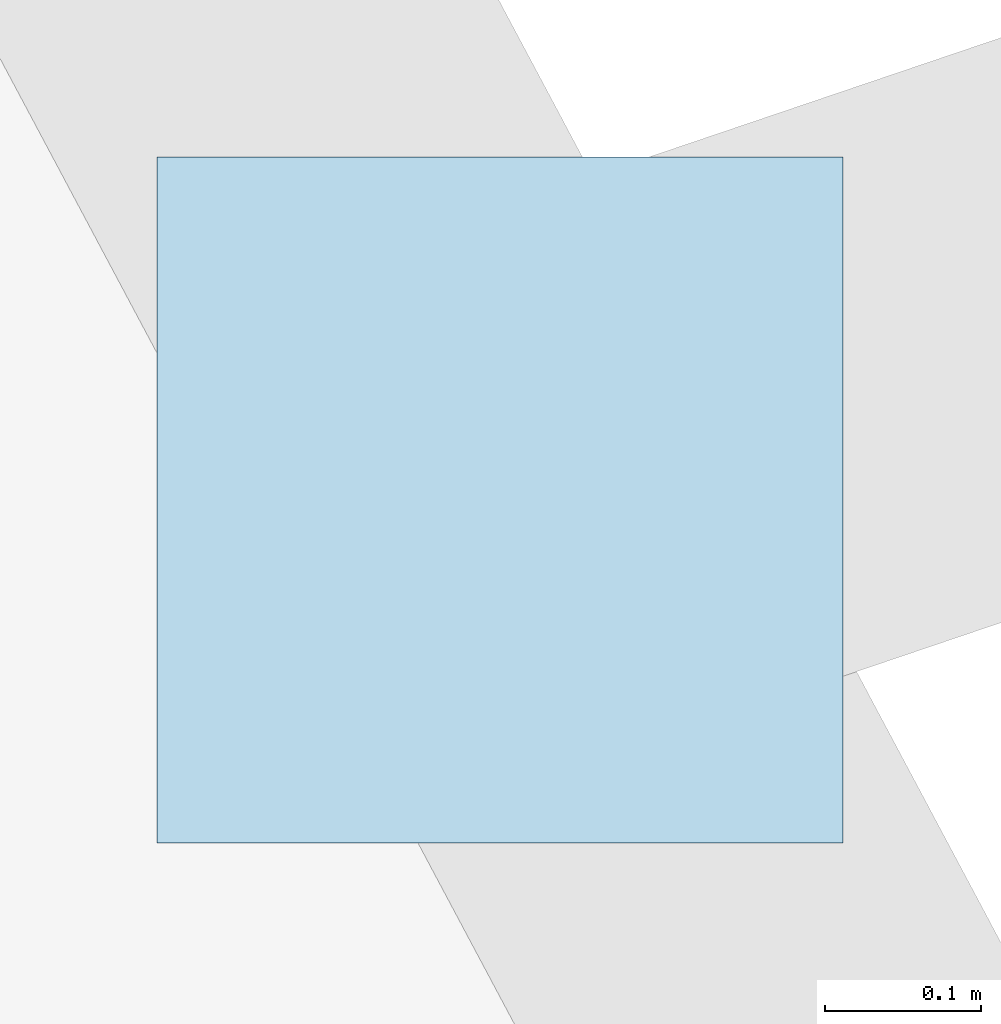
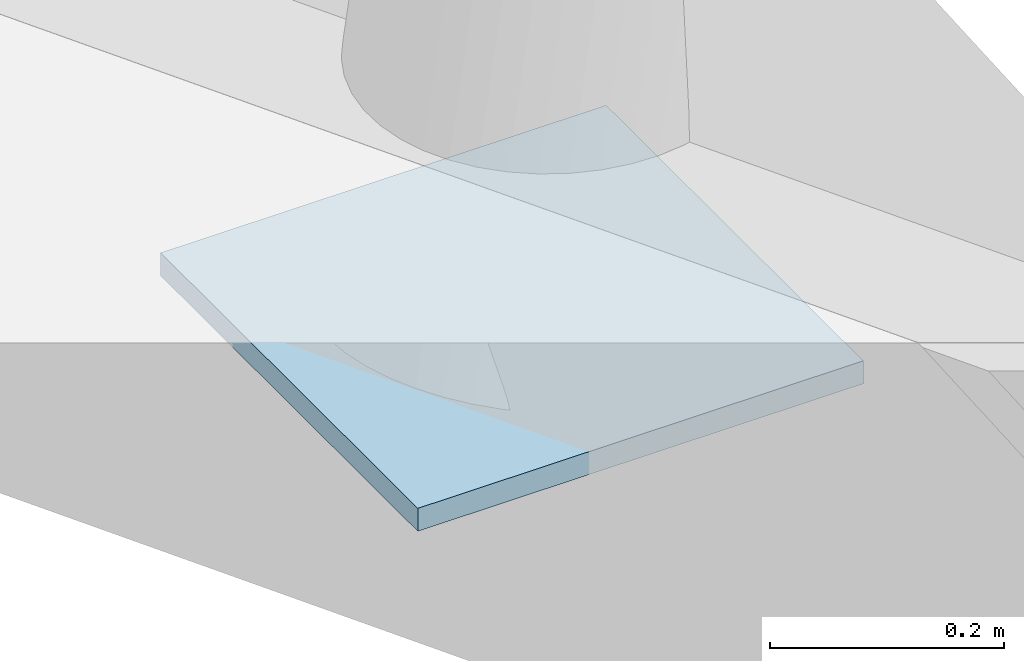
# One storey, part 76 of 99: 1 plate.
"""IFC4 building model written with IfcOpenShell, lengths in metres."""

from ifc_helpers import new_model, si_unit, direction, frame, origin, origin_2d, place, context, subcontext, project, spatial, rectangle, extrude, material, layer, layer_set, type_object, element, save


model = new_model("IFC4")

# Units and contexts
model_context = context("Model", 3, precision=1e-05, world=origin(), true_north=direction((0.0, 1.0)))
body_context = subcontext(model_context, "Body", "Model", "MODEL_VIEW")
ifc_project = project(units=[si_unit("LENGTHUNIT", "METRE"), si_unit("AREAUNIT", "SQUARE_METRE"), si_unit("VOLUMEUNIT", "CUBIC_METRE"), si_unit("PLANEANGLEUNIT", "RADIAN"), si_unit("MASSUNIT", "GRAM", prefix="KILO")], contexts=[model_context])

# Site, building, storey
site_placement = place(None, origin())
site = spatial("IfcSite", under=ifc_project, at=site_placement, CompositionType="ELEMENT")
building_placement = place(site_placement, origin())
building = spatial("IfcBuilding", under=site, at=building_placement, Name="Zlatoyarsky Gate Stadium", CompositionType="ELEMENT")
storey_placement = place(building_placement, frame((0.0, 0.0, 26.199951171875)))
storey = spatial("IfcBuildingStorey", under=building, at=storey_placement, Name="L05", CompositionType="ELEMENT", Elevation=26.199951171875)

# Plate
ifc_material = material(Name="Steel S355", Category="steel")
ifc_layer = layer(ifc_material, 0.02392578125)
ifc_layer_set = layer_set([ifc_layer], Name="Steel S355")
plate_type = type_object("IfcPlateType", Name="STEEL HOLLOW CHORD SPLICE SHEET 24", PredefinedType="SHEET", material=ifc_layer_set)
plate_placement = place(storey_placement, frame((204.039306640625, 104.532958984375, -0.52197265625), z_axis=(0.0, 0.0, 1.0), x_axis=(1.0, 0.0, 0.0)))
element("IfcPlate", 1, at=plate_placement, inside=storey, type_object=plate_type, Name="Node closure plate ND-SP1 NCAP-RIB-01-1-3T", PredefinedType="SHEET", context=body_context, shape_type="SweptSolid", body=[
    extrude(rectangle(XDim=0.43994140625, YDim=0.43994140625, at=origin_2d()), origin(), (0.0, 0.0, 1.0), 0.02392578125),
])

save(model, "model.ifc")
